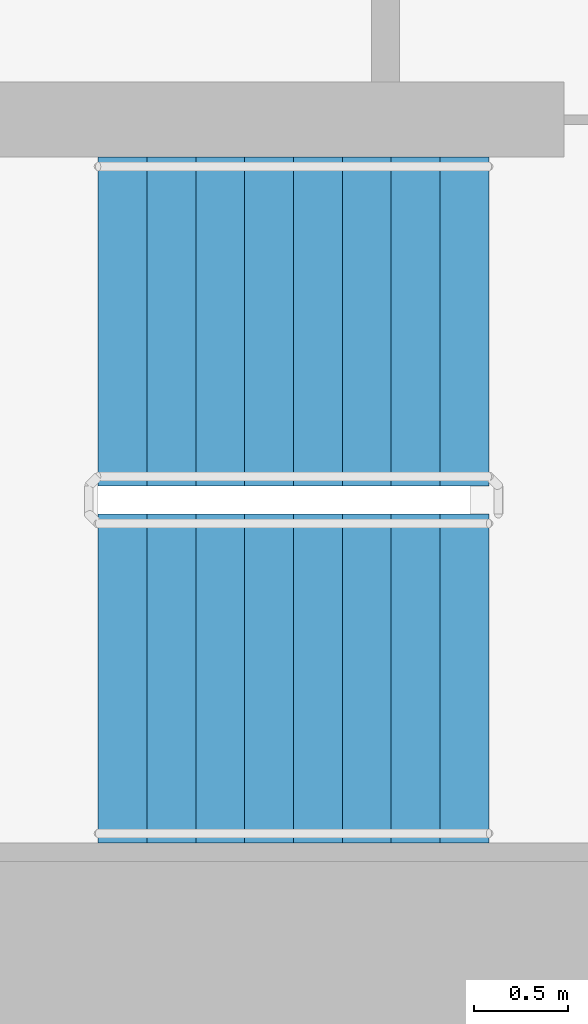
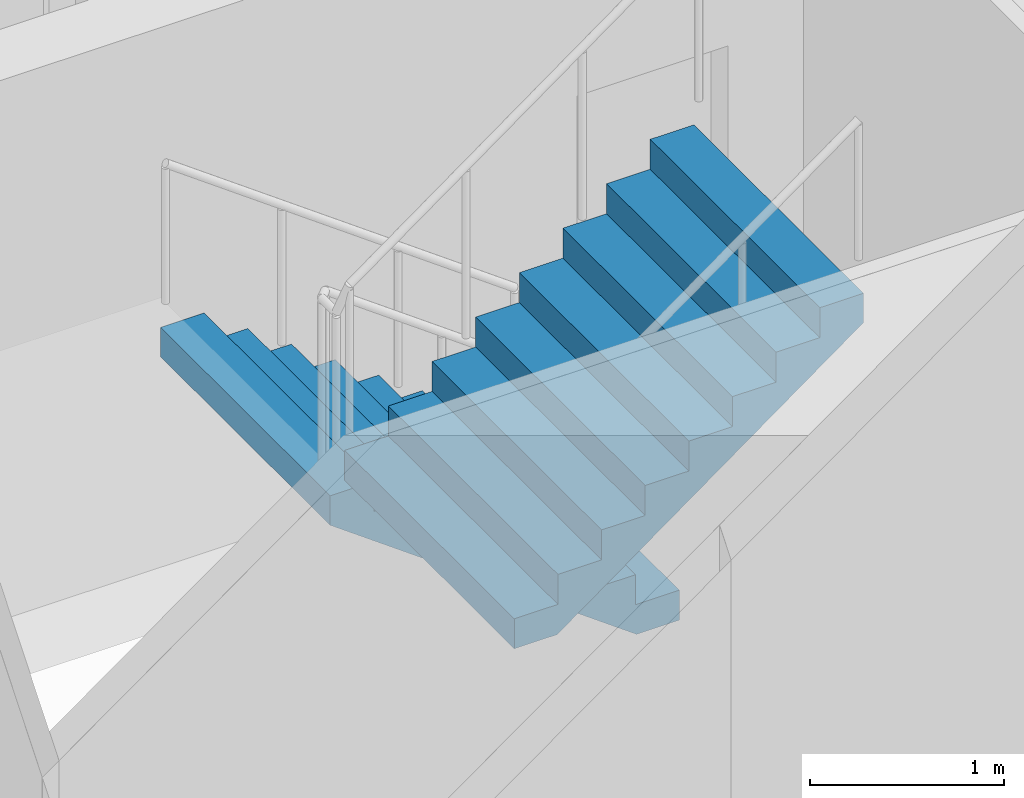
# One storey, part 18 of 25: 2 stair flights, 1 element without a shape of its own.
"""IFC4 building model written with IfcOpenShell, lengths in metres."""

from ifc_helpers import new_model, si_unit, direction, frame, origin, place, context, subcontext, project, spatial, faceted_brep, material, type_object, element, aggregate, save


model = new_model("IFC4")

# Units and contexts
model_context = context("Model", 3, precision=1e-05, world=origin(), true_north=direction((0.0, 1.0)))
body_context = subcontext(model_context, "Body", "Model", "MODEL_VIEW")
ifc_project = project(units=[si_unit("LENGTHUNIT", "METRE"), si_unit("AREAUNIT", "SQUARE_METRE"), si_unit("VOLUMEUNIT", "CUBIC_METRE"), si_unit("PLANEANGLEUNIT", "RADIAN"), si_unit("MASSUNIT", "GRAM", prefix="KILO")], contexts=[model_context])

# Site, building, storey
site_placement = place(None, origin())
site = spatial("IfcSite", under=ifc_project, at=site_placement, CompositionType="ELEMENT")
building_placement = place(site_placement, origin())
building = spatial("IfcBuilding", under=site, at=building_placement, Name="Ipe Terrace Towers", CompositionType="ELEMENT")
storey_placement = place(building_placement, frame((0.0, 0.0, 65.300048828125)))
storey = spatial("IfcBuildingStorey", under=building, at=storey_placement, Name="L17", CompositionType="ELEMENT", Elevation=65.300048828125)

# Stair, stair flights
ifc_material_1 = material(Name="Concrete C30/37", Category="concrete")
stair_type = type_object("IfcStairType", Name="Protected exit stair", PredefinedType="HALF_TURN_STAIR", material=ifc_material_1)
stair_placement = place(storey_placement, origin())
stair = element("IfcStair", 1, at=stair_placement, inside=storey, type_object=stair_type, Name="L17 Exit stair T1-C2", PredefinedType="HALF_TURN_STAIR")
ifc_material_2 = material(Name="Concrete C30/37", Category="concrete")
stair_flight_type = type_object("IfcStairFlightType", Name="Exit stair flight 1750", PredefinedType="STRAIGHT", material=ifc_material_2)
stair_flight_1_placement = place(storey_placement, frame((-45.699951171875, -2.77490234375, 0.0), z_axis=(0.0, 0.0, 1.0), x_axis=(-1.0, 0.0, 0.0)))
stair_flight_1 = element("IfcStairFlight", 2, at=stair_flight_1_placement, type_object=stair_flight_type, Name="T1-ST2 flight 1", NumberOfRisers=9, NumberOfTreads=8, PredefinedType="STRAIGHT", RiserHeight=0.188888889, TreadLength=0.26, context=body_context, shape_type="Brep", body=[
    faceted_brep([(0.255126953125, -0.875, 0.0), (2.080078125, -0.875, 1.325927734375), (2.080078125, -0.875, 1.51123046875), (1.820068359375, -0.875, 1.51123046875), (1.820068359375, -0.875, 1.322265625), (1.56005859375, -0.875, 1.322265625), (1.56005859375, -0.875, 1.13330078125), (1.300048828125, -0.875, 1.13330078125), (1.300048828125, -0.875, 0.9443359375), (1.0400390625, -0.875, 0.9443359375), (1.0400390625, -0.875, 0.755615234375), (0.780029296875, -0.875, 0.755615234375), (0.780029296875, -0.875, 0.566650390625), (0.52001953125, -0.875, 0.566650390625), (0.52001953125, -0.875, 0.377685546875), (0.260009765625, -0.875, 0.377685546875), (0.260009765625, -0.875, 0.18896484375), (0.0, -0.875, 0.18896484375), (0.0, -0.875, 0.0), (0.0, 0.875, 0.0), (0.0, 0.875, 0.18896484375), (0.260009765625, 0.875, 0.18896484375), (0.260009765625, 0.875, 0.377685546875), (0.52001953125, 0.875, 0.377685546875), (0.52001953125, 0.875, 0.566650390625), (0.780029296875, 0.875, 0.566650390625), (0.780029296875, 0.875, 0.755615234375), (1.0400390625, 0.875, 0.755615234375), (1.0400390625, 0.875, 0.9443359375), (1.300048828125, 0.875, 0.9443359375), (1.300048828125, 0.875, 1.13330078125), (1.56005859375, 0.875, 1.13330078125), (1.56005859375, 0.875, 1.322265625), (1.820068359375, 0.875, 1.322265625), (1.820068359375, 0.875, 1.51123046875), (2.080078125, 0.875, 1.51123046875), (2.080078125, 0.875, 1.325927734375), (0.255126953125, 0.875, 0.0), (0.0, -0.300048828125, 0.18896484375), (0.0, -0.1201171875, 0.18896484375), (0.0, -0.06005859375, 0.18896484375), (0.0, -0.030029296875, 0.18896484375), (0.0, -0.010009765625, 0.18896484375), (0.0, 0.0, 0.18896484375), (0.0, 0.010009765625, 0.18896484375), (0.0, 0.030029296875, 0.18896484375), (0.0, 0.06005859375, 0.18896484375), (0.0, 0.1201171875, 0.18896484375), (0.0, 0.300048828125, 0.18896484375), (0.0, 0.300048828125, 0.0), (0.0, 0.1201171875, 0.0), (0.0, 0.06005859375, 0.0), (0.0, 0.030029296875, 0.0), (0.0, 0.010009765625, 0.0), (0.0, 0.0, 0.0), (0.0, -0.010009765625, 0.0), (0.0, -0.030029296875, 0.0), (0.0, -0.06005859375, 0.0), (0.0, -0.1201171875, 0.0), (0.0, -0.300048828125, 0.0), (0.260009765625, -0.300048828125, 0.18896484375), (0.260009765625, -0.1201171875, 0.18896484375), (0.260009765625, -0.06005859375, 0.18896484375), (0.260009765625, -0.030029296875, 0.18896484375), (0.260009765625, -0.010009765625, 0.18896484375), (0.260009765625, 0.0, 0.18896484375), (0.260009765625, 0.010009765625, 0.18896484375), (0.260009765625, 0.030029296875, 0.18896484375), (0.260009765625, 0.06005859375, 0.18896484375), (0.260009765625, 0.1201171875, 0.18896484375), (0.260009765625, 0.300048828125, 0.18896484375), (0.260009765625, -0.300048828125, 0.377685546875), (0.260009765625, -0.1201171875, 0.377685546875), (0.260009765625, -0.06005859375, 0.377685546875), (0.260009765625, -0.030029296875, 0.377685546875), (0.260009765625, -0.010009765625, 0.377685546875), (0.260009765625, 0.0, 0.377685546875), (0.260009765625, 0.010009765625, 0.377685546875), (0.260009765625, 0.030029296875, 0.377685546875), (0.260009765625, 0.06005859375, 0.377685546875), (0.260009765625, 0.1201171875, 0.377685546875), (0.260009765625, 0.300048828125, 0.377685546875), (0.52001953125, -0.300048828125, 0.377685546875), (0.52001953125, -0.1201171875, 0.377685546875), (0.52001953125, -0.06005859375, 0.377685546875), (0.52001953125, -0.030029296875, 0.377685546875), (0.52001953125, -0.010009765625, 0.377685546875), (0.52001953125, 0.0, 0.377685546875), (0.52001953125, 0.010009765625, 0.377685546875), (0.52001953125, 0.030029296875, 0.377685546875), (0.52001953125, 0.06005859375, 0.377685546875), (0.52001953125, 0.1201171875, 0.377685546875), (0.52001953125, 0.300048828125, 0.377685546875), (0.52001953125, -0.300048828125, 0.566650390625), (0.52001953125, -0.1201171875, 0.566650390625), (0.52001953125, -0.06005859375, 0.566650390625), (0.52001953125, -0.030029296875, 0.566650390625), (0.52001953125, -0.010009765625, 0.566650390625), (0.52001953125, 0.0, 0.566650390625), (0.52001953125, 0.010009765625, 0.566650390625), (0.52001953125, 0.030029296875, 0.566650390625), (0.52001953125, 0.06005859375, 0.566650390625), (0.52001953125, 0.1201171875, 0.566650390625), (0.52001953125, 0.300048828125, 0.566650390625), (0.780029296875, -0.300048828125, 0.566650390625), (0.780029296875, -0.1201171875, 0.566650390625), (0.780029296875, -0.06005859375, 0.566650390625), (0.780029296875, -0.030029296875, 0.566650390625), (0.780029296875, -0.010009765625, 0.566650390625), (0.780029296875, 0.0, 0.566650390625), (0.780029296875, 0.010009765625, 0.566650390625), (0.780029296875, 0.030029296875, 0.566650390625), (0.780029296875, 0.06005859375, 0.566650390625), (0.780029296875, 0.1201171875, 0.566650390625), (0.780029296875, 0.300048828125, 0.566650390625), (0.780029296875, -0.300048828125, 0.755615234375), (0.780029296875, -0.1201171875, 0.755615234375), (0.780029296875, -0.06005859375, 0.755615234375), (0.780029296875, -0.030029296875, 0.755615234375), (0.780029296875, -0.010009765625, 0.755615234375), (0.780029296875, 0.0, 0.755615234375), (0.780029296875, 0.010009765625, 0.755615234375), (0.780029296875, 0.030029296875, 0.755615234375), (0.780029296875, 0.06005859375, 0.755615234375), (0.780029296875, 0.1201171875, 0.755615234375), (0.780029296875, 0.300048828125, 0.755615234375), (1.0400390625, -0.300048828125, 0.755615234375), (1.0400390625, -0.1201171875, 0.755615234375), (1.0400390625, -0.06005859375, 0.755615234375), (1.0400390625, -0.030029296875, 0.755615234375), (1.0400390625, -0.010009765625, 0.755615234375), (1.0400390625, 0.0, 0.755615234375), (1.0400390625, 0.010009765625, 0.755615234375), (1.0400390625, 0.030029296875, 0.755615234375), (1.0400390625, 0.06005859375, 0.755615234375), (1.0400390625, 0.1201171875, 0.755615234375), (1.0400390625, 0.300048828125, 0.755615234375), (1.0400390625, -0.300048828125, 0.9443359375), (1.0400390625, -0.1201171875, 0.9443359375), (1.0400390625, -0.06005859375, 0.9443359375), (1.0400390625, -0.030029296875, 0.9443359375), (1.0400390625, -0.010009765625, 0.9443359375), (1.0400390625, 0.0, 0.9443359375), (1.0400390625, 0.010009765625, 0.9443359375), (1.0400390625, 0.030029296875, 0.9443359375), (1.0400390625, 0.06005859375, 0.9443359375), (1.0400390625, 0.1201171875, 0.9443359375), (1.0400390625, 0.300048828125, 0.9443359375), (1.300048828125, -0.300048828125, 0.9443359375), (1.300048828125, -0.1201171875, 0.9443359375), (1.300048828125, -0.06005859375, 0.9443359375), (1.300048828125, -0.030029296875, 0.9443359375), (1.300048828125, -0.010009765625, 0.9443359375), (1.300048828125, 0.0, 0.9443359375), (1.300048828125, 0.010009765625, 0.9443359375), (1.300048828125, 0.030029296875, 0.9443359375), (1.300048828125, 0.06005859375, 0.9443359375), (1.300048828125, 0.1201171875, 0.9443359375), (1.300048828125, 0.300048828125, 0.9443359375), (1.300048828125, -0.300048828125, 1.13330078125), (1.300048828125, -0.1201171875, 1.13330078125), (1.300048828125, -0.06005859375, 1.13330078125), (1.300048828125, -0.030029296875, 1.13330078125), (1.300048828125, -0.010009765625, 1.13330078125), (1.300048828125, 0.0, 1.13330078125), (1.300048828125, 0.010009765625, 1.13330078125), (1.300048828125, 0.030029296875, 1.13330078125), (1.300048828125, 0.06005859375, 1.13330078125), (1.300048828125, 0.1201171875, 1.13330078125), (1.300048828125, 0.300048828125, 1.13330078125), (1.56005859375, -0.300048828125, 1.13330078125), (1.56005859375, -0.1201171875, 1.13330078125), (1.56005859375, -0.06005859375, 1.13330078125), (1.56005859375, -0.030029296875, 1.13330078125), (1.56005859375, -0.010009765625, 1.13330078125), (1.56005859375, 0.0, 1.13330078125), (1.56005859375, 0.010009765625, 1.13330078125), (1.56005859375, 0.030029296875, 1.13330078125), (1.56005859375, 0.06005859375, 1.13330078125), (1.56005859375, 0.1201171875, 1.13330078125), (1.56005859375, 0.300048828125, 1.13330078125), (1.56005859375, -0.300048828125, 1.322265625), (1.56005859375, -0.1201171875, 1.322265625), (1.56005859375, -0.06005859375, 1.322265625), (1.56005859375, -0.030029296875, 1.322265625), (1.56005859375, -0.010009765625, 1.322265625), (1.56005859375, 0.0, 1.322265625), (1.56005859375, 0.010009765625, 1.322265625), (1.56005859375, 0.030029296875, 1.322265625), (1.56005859375, 0.06005859375, 1.322265625), (1.56005859375, 0.1201171875, 1.322265625), (1.56005859375, 0.300048828125, 1.322265625), (1.820068359375, -0.300048828125, 1.322265625), (1.820068359375, -0.1201171875, 1.322265625), (1.820068359375, -0.06005859375, 1.322265625), (1.820068359375, -0.030029296875, 1.322265625), (1.820068359375, -0.010009765625, 1.322265625), (1.820068359375, 0.0, 1.322265625), (1.820068359375, 0.010009765625, 1.322265625), (1.820068359375, 0.030029296875, 1.322265625), (1.820068359375, 0.06005859375, 1.322265625), (1.820068359375, 0.1201171875, 1.322265625), (1.820068359375, 0.300048828125, 1.322265625), (1.820068359375, -0.300048828125, 1.51123046875), (1.820068359375, -0.1201171875, 1.51123046875), (1.820068359375, -0.06005859375, 1.51123046875), (1.820068359375, -0.030029296875, 1.51123046875), (1.820068359375, -0.010009765625, 1.51123046875), (1.820068359375, 0.0, 1.51123046875), (1.820068359375, 0.010009765625, 1.51123046875), (1.820068359375, 0.030029296875, 1.51123046875), (1.820068359375, 0.06005859375, 1.51123046875), (1.820068359375, 0.1201171875, 1.51123046875), (1.820068359375, 0.300048828125, 1.51123046875), (2.080078125, -0.300048828125, 1.51123046875), (2.080078125, -0.1201171875, 1.51123046875), (2.080078125, -0.06005859375, 1.51123046875), (2.080078125, -0.030029296875, 1.51123046875), (2.080078125, -0.010009765625, 1.51123046875), (2.080078125, 0.0, 1.51123046875), (2.080078125, 0.010009765625, 1.51123046875), (2.080078125, 0.030029296875, 1.51123046875), (2.080078125, 0.06005859375, 1.51123046875), (2.080078125, 0.1201171875, 1.51123046875), (2.080078125, 0.300048828125, 1.51123046875), (2.080078125, -0.300048828125, 1.325927734375), (2.080078125, -0.1201171875, 1.325927734375), (2.080078125, -0.06005859375, 1.325927734375), (2.080078125, -0.030029296875, 1.325927734375), (2.080078125, -0.010009765625, 1.325927734375), (2.080078125, 0.0, 1.325927734375), (2.080078125, 0.010009765625, 1.325927734375), (2.080078125, 0.030029296875, 1.325927734375), (2.080078125, 0.06005859375, 1.325927734375), (2.080078125, 0.1201171875, 1.325927734375), (2.080078125, 0.300048828125, 1.325927734375), (0.255126953125, -0.300048828125, 0.0), (0.255126953125, -0.1201171875, 0.0), (0.255126953125, -0.06005859375, 0.0), (0.255126953125, -0.030029296875, 0.0), (0.255126953125, -0.010009765625, 0.0), (0.255126953125, 0.0, 0.0), (0.255126953125, 0.010009765625, 0.0), (0.255126953125, 0.030029296875, 0.0), (0.255126953125, 0.06005859375, 0.0), (0.255126953125, 0.1201171875, 0.0), (0.255126953125, 0.300048828125, 0.0)], [[[0, 1, 2, 3, 4, 5, 6, 7, 8, 9, 10, 11, 12, 13, 14, 15, 16, 17, 18]], [[19, 20, 21, 22, 23, 24, 25, 26, 27, 28, 29, 30, 31, 32, 33, 34, 35, 36, 37]], [[17, 38, 39, 40, 41, 42, 43, 44, 45, 46, 47, 48, 20, 19, 49, 50, 51, 52, 53, 54, 55, 56, 57, 58, 59, 18]], [[16, 60, 61, 62, 63, 64, 65, 66, 67, 68, 69, 70, 21, 20, 48, 47, 46, 45, 44, 43, 42, 41, 40, 39, 38, 17]], [[15, 71, 72, 73, 74, 75, 76, 77, 78, 79, 80, 81, 22, 21, 70, 69, 68, 67, 66, 65, 64, 63, 62, 61, 60, 16]], [[14, 82, 83, 84, 85, 86, 87, 88, 89, 90, 91, 92, 23, 22, 81, 80, 79, 78, 77, 76, 75, 74, 73, 72, 71, 15]], [[13, 93, 94, 95, 96, 97, 98, 99, 100, 101, 102, 103, 24, 23, 92, 91, 90, 89, 88, 87, 86, 85, 84, 83, 82, 14]], [[12, 104, 105, 106, 107, 108, 109, 110, 111, 112, 113, 114, 25, 24, 103, 102, 101, 100, 99, 98, 97, 96, 95, 94, 93, 13]], [[11, 115, 116, 117, 118, 119, 120, 121, 122, 123, 124, 125, 26, 25, 114, 113, 112, 111, 110, 109, 108, 107, 106, 105, 104, 12]], [[10, 126, 127, 128, 129, 130, 131, 132, 133, 134, 135, 136, 27, 26, 125, 124, 123, 122, 121, 120, 119, 118, 117, 116, 115, 11]], [[9, 137, 138, 139, 140, 141, 142, 143, 144, 145, 146, 147, 28, 27, 136, 135, 134, 133, 132, 131, 130, 129, 128, 127, 126, 10]], [[8, 148, 149, 150, 151, 152, 153, 154, 155, 156, 157, 158, 29, 28, 147, 146, 145, 144, 143, 142, 141, 140, 139, 138, 137, 9]], [[7, 159, 160, 161, 162, 163, 164, 165, 166, 167, 168, 169, 30, 29, 158, 157, 156, 155, 154, 153, 152, 151, 150, 149, 148, 8]], [[6, 170, 171, 172, 173, 174, 175, 176, 177, 178, 179, 180, 31, 30, 169, 168, 167, 166, 165, 164, 163, 162, 161, 160, 159, 7]], [[5, 181, 182, 183, 184, 185, 186, 187, 188, 189, 190, 191, 32, 31, 180, 179, 178, 177, 176, 175, 174, 173, 172, 171, 170, 6]], [[4, 192, 193, 194, 195, 196, 197, 198, 199, 200, 201, 202, 33, 32, 191, 190, 189, 188, 187, 186, 185, 184, 183, 182, 181, 5]], [[3, 203, 204, 205, 206, 207, 208, 209, 210, 211, 212, 213, 34, 33, 202, 201, 200, 199, 198, 197, 196, 195, 194, 193, 192, 4]], [[2, 214, 215, 216, 217, 218, 219, 220, 221, 222, 223, 224, 35, 34, 213, 212, 211, 210, 209, 208, 207, 206, 205, 204, 203, 3]], [[1, 225, 226, 227, 228, 229, 230, 231, 232, 233, 234, 235, 36, 35, 224, 223, 222, 221, 220, 219, 218, 217, 216, 215, 214, 2]], [[0, 236, 237, 238, 239, 240, 241, 242, 243, 244, 245, 246, 37, 36, 235, 234, 233, 232, 231, 230, 229, 228, 227, 226, 225, 1]], [[18, 59, 58, 57, 56, 55, 54, 53, 52, 51, 50, 49, 19, 37, 246, 245, 244, 243, 242, 241, 240, 239, 238, 237, 236, 0]]]),
])
stair_flight_2_placement = place(storey_placement, frame((-47.780029296875, -4.675048828125, 1.699951171875), z_axis=(0.0, 0.0, 1.0), x_axis=(1.0, 0.0, 0.0)))
stair_flight_2 = element("IfcStairFlight", 3, at=stair_flight_2_placement, type_object=stair_flight_type, Name="T1-ST2 flight 2", NumberOfRisers=9, NumberOfTreads=8, PredefinedType="STRAIGHT", RiserHeight=0.188888889, TreadLength=0.26, context=body_context, shape_type="Brep", body=[
    faceted_brep([(0.255126953125, -0.875, 0.0), (2.080078125, -0.875, 1.325927734375), (2.080078125, -0.875, 1.51123046875), (1.820068359375, -0.875, 1.51123046875), (1.820068359375, -0.875, 1.322265625), (1.56005859375, -0.875, 1.322265625), (1.56005859375, -0.875, 1.13330078125), (1.300048828125, -0.875, 1.13330078125), (1.300048828125, -0.875, 0.9443359375), (1.0400390625, -0.875, 0.9443359375), (1.0400390625, -0.875, 0.755615234375), (0.780029296875, -0.875, 0.755615234375), (0.780029296875, -0.875, 0.566650390625), (0.52001953125, -0.875, 0.566650390625), (0.52001953125, -0.875, 0.377685546875), (0.260009765625, -0.875, 0.377685546875), (0.260009765625, -0.875, 0.18896484375), (0.0, -0.875, 0.18896484375), (0.0, -0.875, 0.0), (0.0, 0.875, 0.0), (0.0, 0.875, 0.18896484375), (0.260009765625, 0.875, 0.18896484375), (0.260009765625, 0.875, 0.377685546875), (0.52001953125, 0.875, 0.377685546875), (0.52001953125, 0.875, 0.566650390625), (0.780029296875, 0.875, 0.566650390625), (0.780029296875, 0.875, 0.755615234375), (1.0400390625, 0.875, 0.755615234375), (1.0400390625, 0.875, 0.9443359375), (1.300048828125, 0.875, 0.9443359375), (1.300048828125, 0.875, 1.13330078125), (1.56005859375, 0.875, 1.13330078125), (1.56005859375, 0.875, 1.322265625), (1.820068359375, 0.875, 1.322265625), (1.820068359375, 0.875, 1.51123046875), (2.080078125, 0.875, 1.51123046875), (2.080078125, 0.875, 1.325927734375), (0.255126953125, 0.875, 0.0), (0.0, -0.300048828125, 0.18896484375), (0.0, -0.1201171875, 0.18896484375), (0.0, -0.06005859375, 0.18896484375), (0.0, -0.030029296875, 0.18896484375), (0.0, -0.010009765625, 0.18896484375), (0.0, 0.0, 0.18896484375), (0.0, 0.010009765625, 0.18896484375), (0.0, 0.030029296875, 0.18896484375), (0.0, 0.06005859375, 0.18896484375), (0.0, 0.1201171875, 0.18896484375), (0.0, 0.300048828125, 0.18896484375), (0.0, 0.300048828125, 0.0), (0.0, 0.1201171875, 0.0), (0.0, 0.06005859375, 0.0), (0.0, 0.030029296875, 0.0), (0.0, 0.010009765625, 0.0), (0.0, 0.0, 0.0), (0.0, -0.010009765625, 0.0), (0.0, -0.030029296875, 0.0), (0.0, -0.06005859375, 0.0), (0.0, -0.1201171875, 0.0), (0.0, -0.300048828125, 0.0), (0.260009765625, -0.300048828125, 0.18896484375), (0.260009765625, -0.1201171875, 0.18896484375), (0.260009765625, -0.06005859375, 0.18896484375), (0.260009765625, -0.030029296875, 0.18896484375), (0.260009765625, -0.010009765625, 0.18896484375), (0.260009765625, 0.0, 0.18896484375), (0.260009765625, 0.010009765625, 0.18896484375), (0.260009765625, 0.030029296875, 0.18896484375), (0.260009765625, 0.06005859375, 0.18896484375), (0.260009765625, 0.1201171875, 0.18896484375), (0.260009765625, 0.300048828125, 0.18896484375), (0.260009765625, -0.300048828125, 0.377685546875), (0.260009765625, -0.1201171875, 0.377685546875), (0.260009765625, -0.06005859375, 0.377685546875), (0.260009765625, -0.030029296875, 0.377685546875), (0.260009765625, -0.010009765625, 0.377685546875), (0.260009765625, 0.0, 0.377685546875), (0.260009765625, 0.010009765625, 0.377685546875), (0.260009765625, 0.030029296875, 0.377685546875), (0.260009765625, 0.06005859375, 0.377685546875), (0.260009765625, 0.1201171875, 0.377685546875), (0.260009765625, 0.300048828125, 0.377685546875), (0.52001953125, -0.300048828125, 0.377685546875), (0.52001953125, -0.1201171875, 0.377685546875), (0.52001953125, -0.06005859375, 0.377685546875), (0.52001953125, -0.030029296875, 0.377685546875), (0.52001953125, -0.010009765625, 0.377685546875), (0.52001953125, 0.0, 0.377685546875), (0.52001953125, 0.010009765625, 0.377685546875), (0.52001953125, 0.030029296875, 0.377685546875), (0.52001953125, 0.06005859375, 0.377685546875), (0.52001953125, 0.1201171875, 0.377685546875), (0.52001953125, 0.300048828125, 0.377685546875), (0.52001953125, -0.300048828125, 0.566650390625), (0.52001953125, -0.1201171875, 0.566650390625), (0.52001953125, -0.06005859375, 0.566650390625), (0.52001953125, -0.030029296875, 0.566650390625), (0.52001953125, -0.010009765625, 0.566650390625), (0.52001953125, 0.0, 0.566650390625), (0.52001953125, 0.010009765625, 0.566650390625), (0.52001953125, 0.030029296875, 0.566650390625), (0.52001953125, 0.06005859375, 0.566650390625), (0.52001953125, 0.1201171875, 0.566650390625), (0.52001953125, 0.300048828125, 0.566650390625), (0.780029296875, -0.300048828125, 0.566650390625), (0.780029296875, -0.1201171875, 0.566650390625), (0.780029296875, -0.06005859375, 0.566650390625), (0.780029296875, -0.030029296875, 0.566650390625), (0.780029296875, -0.010009765625, 0.566650390625), (0.780029296875, 0.0, 0.566650390625), (0.780029296875, 0.010009765625, 0.566650390625), (0.780029296875, 0.030029296875, 0.566650390625), (0.780029296875, 0.06005859375, 0.566650390625), (0.780029296875, 0.1201171875, 0.566650390625), (0.780029296875, 0.300048828125, 0.566650390625), (0.780029296875, -0.300048828125, 0.755615234375), (0.780029296875, -0.1201171875, 0.755615234375), (0.780029296875, -0.06005859375, 0.755615234375), (0.780029296875, -0.030029296875, 0.755615234375), (0.780029296875, -0.010009765625, 0.755615234375), (0.780029296875, 0.0, 0.755615234375), (0.780029296875, 0.010009765625, 0.755615234375), (0.780029296875, 0.030029296875, 0.755615234375), (0.780029296875, 0.06005859375, 0.755615234375), (0.780029296875, 0.1201171875, 0.755615234375), (0.780029296875, 0.300048828125, 0.755615234375), (1.0400390625, -0.300048828125, 0.755615234375), (1.0400390625, -0.1201171875, 0.755615234375), (1.0400390625, -0.06005859375, 0.755615234375), (1.0400390625, -0.030029296875, 0.755615234375), (1.0400390625, -0.010009765625, 0.755615234375), (1.0400390625, 0.0, 0.755615234375), (1.0400390625, 0.010009765625, 0.755615234375), (1.0400390625, 0.030029296875, 0.755615234375), (1.0400390625, 0.06005859375, 0.755615234375), (1.0400390625, 0.1201171875, 0.755615234375), (1.0400390625, 0.300048828125, 0.755615234375), (1.0400390625, -0.300048828125, 0.9443359375), (1.0400390625, -0.1201171875, 0.9443359375), (1.0400390625, -0.06005859375, 0.9443359375), (1.0400390625, -0.030029296875, 0.9443359375), (1.0400390625, -0.010009765625, 0.9443359375), (1.0400390625, 0.0, 0.9443359375), (1.0400390625, 0.010009765625, 0.9443359375), (1.0400390625, 0.030029296875, 0.9443359375), (1.0400390625, 0.06005859375, 0.9443359375), (1.0400390625, 0.1201171875, 0.9443359375), (1.0400390625, 0.300048828125, 0.9443359375), (1.300048828125, -0.300048828125, 0.9443359375), (1.300048828125, -0.1201171875, 0.9443359375), (1.300048828125, -0.06005859375, 0.9443359375), (1.300048828125, -0.030029296875, 0.9443359375), (1.300048828125, -0.010009765625, 0.9443359375), (1.300048828125, 0.0, 0.9443359375), (1.300048828125, 0.010009765625, 0.9443359375), (1.300048828125, 0.030029296875, 0.9443359375), (1.300048828125, 0.06005859375, 0.9443359375), (1.300048828125, 0.1201171875, 0.9443359375), (1.300048828125, 0.300048828125, 0.9443359375), (1.300048828125, -0.300048828125, 1.13330078125), (1.300048828125, -0.1201171875, 1.13330078125), (1.300048828125, -0.06005859375, 1.13330078125), (1.300048828125, -0.030029296875, 1.13330078125), (1.300048828125, -0.010009765625, 1.13330078125), (1.300048828125, 0.0, 1.13330078125), (1.300048828125, 0.010009765625, 1.13330078125), (1.300048828125, 0.030029296875, 1.13330078125), (1.300048828125, 0.06005859375, 1.13330078125), (1.300048828125, 0.1201171875, 1.13330078125), (1.300048828125, 0.300048828125, 1.13330078125), (1.56005859375, -0.300048828125, 1.13330078125), (1.56005859375, -0.1201171875, 1.13330078125), (1.56005859375, -0.06005859375, 1.13330078125), (1.56005859375, -0.030029296875, 1.13330078125), (1.56005859375, -0.010009765625, 1.13330078125), (1.56005859375, 0.0, 1.13330078125), (1.56005859375, 0.010009765625, 1.13330078125), (1.56005859375, 0.030029296875, 1.13330078125), (1.56005859375, 0.06005859375, 1.13330078125), (1.56005859375, 0.1201171875, 1.13330078125), (1.56005859375, 0.300048828125, 1.13330078125), (1.56005859375, -0.300048828125, 1.322265625), (1.56005859375, -0.1201171875, 1.322265625), (1.56005859375, -0.06005859375, 1.322265625), (1.56005859375, -0.030029296875, 1.322265625), (1.56005859375, -0.010009765625, 1.322265625), (1.56005859375, 0.0, 1.322265625), (1.56005859375, 0.010009765625, 1.322265625), (1.56005859375, 0.030029296875, 1.322265625), (1.56005859375, 0.06005859375, 1.322265625), (1.56005859375, 0.1201171875, 1.322265625), (1.56005859375, 0.300048828125, 1.322265625), (1.820068359375, -0.300048828125, 1.322265625), (1.820068359375, -0.1201171875, 1.322265625), (1.820068359375, -0.06005859375, 1.322265625), (1.820068359375, -0.030029296875, 1.322265625), (1.820068359375, -0.010009765625, 1.322265625), (1.820068359375, 0.0, 1.322265625), (1.820068359375, 0.010009765625, 1.322265625), (1.820068359375, 0.030029296875, 1.322265625), (1.820068359375, 0.06005859375, 1.322265625), (1.820068359375, 0.1201171875, 1.322265625), (1.820068359375, 0.300048828125, 1.322265625), (1.820068359375, -0.300048828125, 1.51123046875), (1.820068359375, -0.1201171875, 1.51123046875), (1.820068359375, -0.06005859375, 1.51123046875), (1.820068359375, -0.030029296875, 1.51123046875), (1.820068359375, -0.010009765625, 1.51123046875), (1.820068359375, 0.0, 1.51123046875), (1.820068359375, 0.010009765625, 1.51123046875), (1.820068359375, 0.030029296875, 1.51123046875), (1.820068359375, 0.06005859375, 1.51123046875), (1.820068359375, 0.1201171875, 1.51123046875), (1.820068359375, 0.300048828125, 1.51123046875), (2.080078125, -0.300048828125, 1.51123046875), (2.080078125, -0.1201171875, 1.51123046875), (2.080078125, -0.06005859375, 1.51123046875), (2.080078125, -0.030029296875, 1.51123046875), (2.080078125, -0.010009765625, 1.51123046875), (2.080078125, 0.0, 1.51123046875), (2.080078125, 0.010009765625, 1.51123046875), (2.080078125, 0.030029296875, 1.51123046875), (2.080078125, 0.06005859375, 1.51123046875), (2.080078125, 0.1201171875, 1.51123046875), (2.080078125, 0.300048828125, 1.51123046875), (2.080078125, -0.300048828125, 1.325927734375), (2.080078125, -0.1201171875, 1.325927734375), (2.080078125, -0.06005859375, 1.325927734375), (2.080078125, -0.030029296875, 1.325927734375), (2.080078125, -0.010009765625, 1.325927734375), (2.080078125, 0.0, 1.325927734375), (2.080078125, 0.010009765625, 1.325927734375), (2.080078125, 0.030029296875, 1.325927734375), (2.080078125, 0.06005859375, 1.325927734375), (2.080078125, 0.1201171875, 1.325927734375), (2.080078125, 0.300048828125, 1.325927734375), (0.255126953125, -0.300048828125, 0.0), (0.255126953125, -0.1201171875, 0.0), (0.255126953125, -0.06005859375, 0.0), (0.255126953125, -0.030029296875, 0.0), (0.255126953125, -0.010009765625, 0.0), (0.255126953125, 0.0, 0.0), (0.255126953125, 0.010009765625, 0.0), (0.255126953125, 0.030029296875, 0.0), (0.255126953125, 0.06005859375, 0.0), (0.255126953125, 0.1201171875, 0.0), (0.255126953125, 0.300048828125, 0.0)], [[[0, 1, 2, 3, 4, 5, 6, 7, 8, 9, 10, 11, 12, 13, 14, 15, 16, 17, 18]], [[19, 20, 21, 22, 23, 24, 25, 26, 27, 28, 29, 30, 31, 32, 33, 34, 35, 36, 37]], [[17, 38, 39, 40, 41, 42, 43, 44, 45, 46, 47, 48, 20, 19, 49, 50, 51, 52, 53, 54, 55, 56, 57, 58, 59, 18]], [[16, 60, 61, 62, 63, 64, 65, 66, 67, 68, 69, 70, 21, 20, 48, 47, 46, 45, 44, 43, 42, 41, 40, 39, 38, 17]], [[15, 71, 72, 73, 74, 75, 76, 77, 78, 79, 80, 81, 22, 21, 70, 69, 68, 67, 66, 65, 64, 63, 62, 61, 60, 16]], [[14, 82, 83, 84, 85, 86, 87, 88, 89, 90, 91, 92, 23, 22, 81, 80, 79, 78, 77, 76, 75, 74, 73, 72, 71, 15]], [[13, 93, 94, 95, 96, 97, 98, 99, 100, 101, 102, 103, 24, 23, 92, 91, 90, 89, 88, 87, 86, 85, 84, 83, 82, 14]], [[12, 104, 105, 106, 107, 108, 109, 110, 111, 112, 113, 114, 25, 24, 103, 102, 101, 100, 99, 98, 97, 96, 95, 94, 93, 13]], [[11, 115, 116, 117, 118, 119, 120, 121, 122, 123, 124, 125, 26, 25, 114, 113, 112, 111, 110, 109, 108, 107, 106, 105, 104, 12]], [[10, 126, 127, 128, 129, 130, 131, 132, 133, 134, 135, 136, 27, 26, 125, 124, 123, 122, 121, 120, 119, 118, 117, 116, 115, 11]], [[9, 137, 138, 139, 140, 141, 142, 143, 144, 145, 146, 147, 28, 27, 136, 135, 134, 133, 132, 131, 130, 129, 128, 127, 126, 10]], [[8, 148, 149, 150, 151, 152, 153, 154, 155, 156, 157, 158, 29, 28, 147, 146, 145, 144, 143, 142, 141, 140, 139, 138, 137, 9]], [[7, 159, 160, 161, 162, 163, 164, 165, 166, 167, 168, 169, 30, 29, 158, 157, 156, 155, 154, 153, 152, 151, 150, 149, 148, 8]], [[6, 170, 171, 172, 173, 174, 175, 176, 177, 178, 179, 180, 31, 30, 169, 168, 167, 166, 165, 164, 163, 162, 161, 160, 159, 7]], [[5, 181, 182, 183, 184, 185, 186, 187, 188, 189, 190, 191, 32, 31, 180, 179, 178, 177, 176, 175, 174, 173, 172, 171, 170, 6]], [[4, 192, 193, 194, 195, 196, 197, 198, 199, 200, 201, 202, 33, 32, 191, 190, 189, 188, 187, 186, 185, 184, 183, 182, 181, 5]], [[3, 203, 204, 205, 206, 207, 208, 209, 210, 211, 212, 213, 34, 33, 202, 201, 200, 199, 198, 197, 196, 195, 194, 193, 192, 4]], [[2, 214, 215, 216, 217, 218, 219, 220, 221, 222, 223, 224, 35, 34, 213, 212, 211, 210, 209, 208, 207, 206, 205, 204, 203, 3]], [[1, 225, 226, 227, 228, 229, 230, 231, 232, 233, 234, 235, 36, 35, 224, 223, 222, 221, 220, 219, 218, 217, 216, 215, 214, 2]], [[0, 236, 237, 238, 239, 240, 241, 242, 243, 244, 245, 246, 37, 36, 235, 234, 233, 232, 231, 230, 229, 228, 227, 226, 225, 1]], [[18, 59, 58, 57, 56, 55, 54, 53, 52, 51, 50, 49, 19, 37, 246, 245, 244, 243, 242, 241, 240, 239, 238, 237, 236, 0]]]),
])
aggregate(stair, [stair_flight_1, stair_flight_2])

save(model, "model.ifc")
